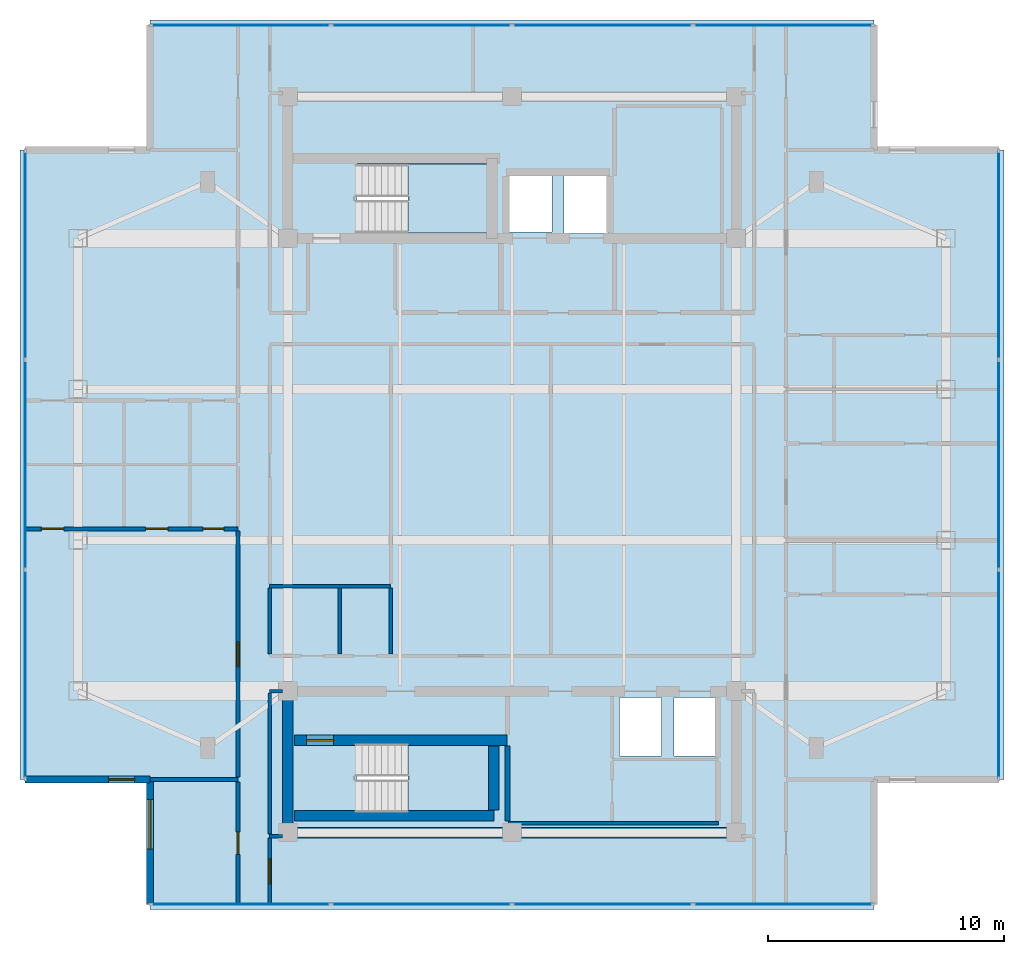
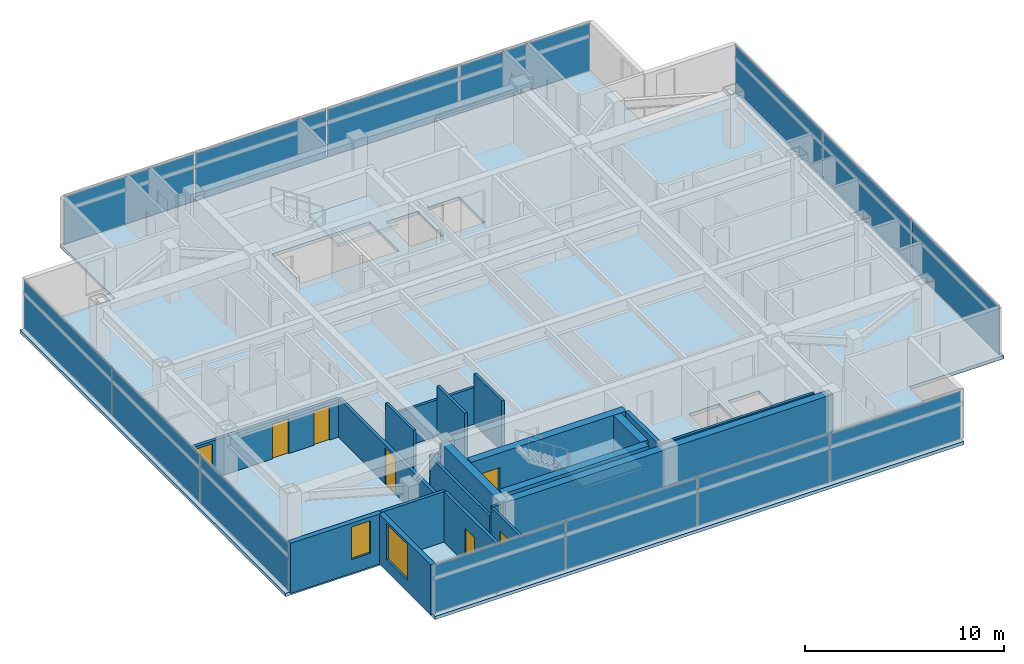
# One storey, part 6 of 12: 21 walls, 14 plates, 7 doors, 3 slabs, 2 windows, 9 openings, 6 elements without a shape of their own.
"""IFC4 building model written with IfcOpenShell, lengths in metres."""

from ifc_helpers import new_model, si_unit, direction, frame, frame_2d, origin, origin_2d, place, context, subcontext, project, spatial, polyline, rectangle, outline, extrude, material, layer, layer_set, type_object, element, fill, aggregate, save


model = new_model("IFC4")

# Units and contexts
model_context = context("Model", 3, precision=1e-05, world=origin(), true_north=direction((0.0, 1.0)))
body_context = subcontext(model_context, "Body", "Model", "MODEL_VIEW")
ifc_project = project(units=[si_unit("LENGTHUNIT", "METRE"), si_unit("AREAUNIT", "SQUARE_METRE"), si_unit("VOLUMEUNIT", "CUBIC_METRE"), si_unit("PLANEANGLEUNIT", "RADIAN"), si_unit("MASSUNIT", "GRAM", prefix="KILO")], contexts=[model_context])

# Site, building, storey
site_placement = place(None, origin())
site = spatial("IfcSite", under=ifc_project, at=site_placement, CompositionType="ELEMENT")
building_placement = place(site_placement, origin())
building = spatial("IfcBuilding", under=site, at=building_placement, Name="Mirazonda Arch Towers", CompositionType="ELEMENT")
storey_placement = place(building_placement, frame((0.0, 0.0, 226.0)))
storey = spatial("IfcBuildingStorey", under=building, at=storey_placement, Name="L64", CompositionType="ELEMENT", Elevation=226.0)

# Curtain wall, plates
ifc_material_1 = material(Name="Anodised Aluminium and Low-E Glass", Category="aluminium")
curtain_wall_type = type_object("IfcCurtainWallType", Name="CW-RES-UNIT", PredefinedType="NOTDEFINED", material=ifc_material_1)
curtain_wall_1_placement = place(storey_placement, origin())
curtain_wall_1 = element("IfcCurtainWall", 1, at=curtain_wall_1_placement, inside=storey, type_object=curtain_wall_type, Name="L64 T1 S Facade CW-L64-T1-S", PredefinedType="NOTDEFINED")
ifc_material_2 = material(Name="Insulated Low-E Solar Glass", Category="glass")
ifc_layer_1 = layer(ifc_material_2, 0.0400390625, Name="PAN-CW-RES-UNIT")
ifc_layer_set_1 = layer_set([ifc_layer_1], Name="Insulated Low-E Solar Glass")
plate_type = type_object("IfcPlateType", Name="PAN-CW-RES-UNIT", PredefinedType="CURTAIN_PANEL", material=ifc_layer_set_1)
plate_1_placement = place(storey_placement, frame((31.99365234375, 9.364013671875, 0.0751953125), z_axis=(0.0, 0.0, 1.0), x_axis=(-1.0, 0.0, 0.0)))
plate_1 = element("IfcPlate", 2, at=plate_1_placement, type_object=plate_type, Name="CW-104 panel 1.1", PredefinedType="CURTAIN_PANEL", context=body_context, shape_type="SweptSolid", body=[
    extrude(rectangle(XDim=7.5625, YDim=0.0400390625, at=origin_2d()), origin(), (0.0, 0.0, 1.0), 2.929931640625),
])
plate_2_placement = place(storey_placement, frame((24.33740234375, 9.364013671875, 0.0751953125), z_axis=(0.0, 0.0, 1.0), x_axis=(-1.0, 0.0, 0.0)))
plate_2 = element("IfcPlate", 3, at=plate_2_placement, type_object=plate_type, Name="CW-104 panel 2.1", PredefinedType="CURTAIN_PANEL", context=body_context, shape_type="SweptSolid", body=[
    extrude(rectangle(XDim=7.60009765625, YDim=0.0400390625, at=origin_2d()), origin(), (0.0, 0.0, 1.0), 2.929931640625),
])
plate_3_placement = place(storey_placement, frame((16.66259765625, 9.364013671875, 0.0751953125), z_axis=(0.0, 0.0, 1.0), x_axis=(-1.0, 0.0, 0.0)))
plate_3 = element("IfcPlate", 4, at=plate_3_placement, type_object=plate_type, Name="CW-104 panel 3.1", PredefinedType="CURTAIN_PANEL", context=body_context, shape_type="SweptSolid", body=[
    extrude(rectangle(XDim=7.60009765625, YDim=0.0400390625, at=origin_2d()), origin(), (0.0, 0.0, 1.0), 2.929931640625),
])
plate_4_placement = place(storey_placement, frame((9.00634765625, 9.364013671875, 0.0751953125), z_axis=(0.0, 0.0, 1.0), x_axis=(-1.0, 0.0, 0.0)))
plate_4 = element("IfcPlate", 5, at=plate_4_placement, type_object=plate_type, Name="CW-104 panel 4.1", PredefinedType="CURTAIN_PANEL", context=body_context, shape_type="SweptSolid", body=[
    extrude(rectangle(XDim=7.5625, YDim=0.0400390625, at=origin_2d()), origin(), (0.0, 0.0, 1.0), 2.929931640625),
])
aggregate(curtain_wall_1, [plate_1, plate_2, plate_3, plate_4])

curtain_wall_2_placement = place(storey_placement, origin())
curtain_wall_2 = element("IfcCurtainWall", 6, at=curtain_wall_2_placement, inside=storey, type_object=curtain_wall_type, Name="L64 T1 E Facade CW-L64-T1-E", PredefinedType="NOTDEFINED")
plate_5_placement = place(storey_placement, frame((41.139892578125, 19.121337890625, 0.0751953125), z_axis=(0.0, 0.0, 1.0), x_axis=(0.0, 1.0, 0.0)))
plate_5 = element("IfcPlate", 7, at=plate_5_placement, type_object=plate_type, Name="CW-104 panel 1.1", PredefinedType="CURTAIN_PANEL", context=body_context, shape_type="SweptSolid", body=[
    extrude(rectangle(XDim=8.784912109375, YDim=0.0400390625, at=origin_2d()), origin(), (0.0, 0.0, 1.0), 2.929931640625),
])
plate_6_placement = place(storey_placement, frame((41.139892578125, 28.0, 0.0751953125), z_axis=(0.0, 0.0, 1.0), x_axis=(0.0, 1.0, 0.0)))
plate_6 = element("IfcPlate", 8, at=plate_6_placement, type_object=plate_type, Name="CW-104 panel 2.1", PredefinedType="CURTAIN_PANEL", context=body_context, shape_type="SweptSolid", body=[
    extrude(rectangle(XDim=8.822265625, YDim=0.0400390625, at=origin_2d()), origin(), (0.0, 0.0, 1.0), 2.929931640625),
])
plate_7_placement = place(storey_placement, frame((41.139892578125, 36.878662109375, 0.0751953125), z_axis=(0.0, 0.0, 1.0), x_axis=(0.0, 1.0, 0.0)))
plate_7 = element("IfcPlate", 9, at=plate_7_placement, type_object=plate_type, Name="CW-104 panel 3.1", PredefinedType="CURTAIN_PANEL", context=body_context, shape_type="SweptSolid", body=[
    extrude(rectangle(XDim=8.784912109375, YDim=0.0400390625, at=origin_2d()), origin(), (0.0, 0.0, 1.0), 2.929931640625),
])
aggregate(curtain_wall_2, [plate_5, plate_6, plate_7])

curtain_wall_3_placement = place(storey_placement, origin())
curtain_wall_3 = element("IfcCurtainWall", 10, at=curtain_wall_3_placement, inside=storey, type_object=curtain_wall_type, Name="L64 T1 N Facade CW-L64-T1-N", PredefinedType="NOTDEFINED")
plate_8_placement = place(storey_placement, frame((9.00634765625, 46.635986328125, 0.0751953125), z_axis=(0.0, 0.0, 1.0), x_axis=(1.0, 0.0, 0.0)))
plate_8 = element("IfcPlate", 11, at=plate_8_placement, type_object=plate_type, Name="CW-104 panel 1.1", PredefinedType="CURTAIN_PANEL", context=body_context, shape_type="SweptSolid", body=[
    extrude(rectangle(XDim=7.5625, YDim=0.0400390625, at=origin_2d()), origin(), (0.0, 0.0, 1.0), 2.929931640625),
])
plate_9_placement = place(storey_placement, frame((16.66259765625, 46.635986328125, 0.0751953125), z_axis=(0.0, 0.0, 1.0), x_axis=(1.0, 0.0, 0.0)))
plate_9 = element("IfcPlate", 12, at=plate_9_placement, type_object=plate_type, Name="CW-104 panel 2.1", PredefinedType="CURTAIN_PANEL", context=body_context, shape_type="SweptSolid", body=[
    extrude(rectangle(XDim=7.60009765625, YDim=0.0400390625, at=origin_2d()), origin(), (0.0, 0.0, 1.0), 2.929931640625),
])
plate_10_placement = place(storey_placement, frame((24.33740234375, 46.635986328125, 0.0751953125), z_axis=(0.0, 0.0, 1.0), x_axis=(1.0, 0.0, 0.0)))
plate_10 = element("IfcPlate", 13, at=plate_10_placement, type_object=plate_type, Name="CW-104 panel 3.1", PredefinedType="CURTAIN_PANEL", context=body_context, shape_type="SweptSolid", body=[
    extrude(rectangle(XDim=7.60009765625, YDim=0.0400390625, at=origin_2d()), origin(), (0.0, 0.0, 1.0), 2.929931640625),
])
plate_11_placement = place(storey_placement, frame((31.99365234375, 46.635986328125, 0.0751953125), z_axis=(0.0, 0.0, 1.0), x_axis=(1.0, 0.0, 0.0)))
plate_11 = element("IfcPlate", 14, at=plate_11_placement, type_object=plate_type, Name="CW-104 panel 4.1", PredefinedType="CURTAIN_PANEL", context=body_context, shape_type="SweptSolid", body=[
    extrude(rectangle(XDim=7.5625, YDim=0.0400390625, at=origin_2d()), origin(), (0.0, 0.0, 1.0), 2.929931640625),
])
aggregate(curtain_wall_3, [plate_8, plate_9, plate_10, plate_11])

curtain_wall_4_placement = place(storey_placement, origin())
curtain_wall_4 = element("IfcCurtainWall", 15, at=curtain_wall_4_placement, inside=storey, type_object=curtain_wall_type, Name="L64 T1 W Facade CW-L64-T1-W", PredefinedType="NOTDEFINED")
plate_12_placement = place(storey_placement, frame((-0.139892578125, 36.878662109375, 0.0751953125), z_axis=(0.0, 0.0, 1.0), x_axis=(0.0, -1.0, 0.0)))
plate_12 = element("IfcPlate", 16, at=plate_12_placement, type_object=plate_type, Name="CW-104 panel 1.1", PredefinedType="CURTAIN_PANEL", context=body_context, shape_type="SweptSolid", body=[
    extrude(rectangle(XDim=8.784912109375, YDim=0.0400390625, at=origin_2d()), origin(), (0.0, 0.0, 1.0), 2.929931640625),
])
plate_13_placement = place(storey_placement, frame((-0.139892578125, 28.0, 0.0751953125), z_axis=(0.0, 0.0, 1.0), x_axis=(0.0, -1.0, 0.0)))
plate_13 = element("IfcPlate", 17, at=plate_13_placement, type_object=plate_type, Name="CW-104 panel 2.1", PredefinedType="CURTAIN_PANEL", context=body_context, shape_type="SweptSolid", body=[
    extrude(rectangle(XDim=8.822265625, YDim=0.0400390625, at=origin_2d()), origin(), (0.0, 0.0, 1.0), 2.929931640625),
])
plate_14_placement = place(storey_placement, frame((-0.139892578125, 19.121337890625, 0.0751953125), z_axis=(0.0, 0.0, 1.0), x_axis=(0.0, -1.0, 0.0)))
plate_14 = element("IfcPlate", 18, at=plate_14_placement, type_object=plate_type, Name="CW-104 panel 3.1", PredefinedType="CURTAIN_PANEL", context=body_context, shape_type="SweptSolid", body=[
    extrude(rectangle(XDim=8.784912109375, YDim=0.0400390625, at=origin_2d()), origin(), (0.0, 0.0, 1.0), 2.929931640625),
])
aggregate(curtain_wall_4, [plate_12, plate_13, plate_14])

# Stair, slab
ifc_material_3 = material(Name="Concrete C40/50", Category="concrete")
stair_type = type_object("IfcStairType", Name="STAIR-CORE-1400", PredefinedType="HALF_TURN_STAIR", material=ifc_material_3)
stair_1_placement = place(storey_placement, origin())
stair_1 = element("IfcStair", 19, at=stair_1_placement, inside=storey, type_object=stair_type, Name="L64 Protected Exit Stair ST-T1N", PredefinedType="HALF_TURN_STAIR")
ifc_layer_2 = layer(ifc_material_3, 0.18994140625, Name="SLAB-LANDING-190")
ifc_layer_set_2 = layer_set([ifc_layer_2], Name="Concrete C40/50")
slab_type_1 = type_object("IfcSlabType", Name="SLAB-LANDING-190", PredefinedType="LANDING", material=ifc_layer_set_2)
slab_1_placement = place(storey_placement, frame((0.0, 0.0, 1.449951171875)))
slab_1 = element("IfcSlab", 20, at=slab_1_placement, type_object=slab_type_1, Name="ST-T1N landing 1", PredefinedType="LANDING", context=body_context, shape_type="SweptSolid", body=[
    extrude(outline(polyline([(16.090087890625, 37.820068359375), (19.60009765625, 37.820068359375), (19.60009765625, 40.760009765625), (16.090087890625, 40.760009765625), (16.090087890625, 37.820068359375)])), origin(), (0.0, 0.0, 1.0), 0.199951171875),
])
aggregate(stair_1, [slab_1])

stair_2_placement = place(storey_placement, origin())
stair_2 = element("IfcStair", 21, at=stair_2_placement, inside=storey, type_object=stair_type, Name="L64 Protected Exit Stair ST-T1S", PredefinedType="HALF_TURN_STAIR")
slab_2_placement = place(storey_placement, frame((0.0, 0.0, 1.449951171875)))
slab_2 = element("IfcSlab", 22, at=slab_2_placement, type_object=slab_type_1, Name="ST-T1S landing 1", PredefinedType="LANDING", context=body_context, shape_type="SweptSolid", body=[
    extrude(outline(polyline([(16.090087890625, 13.25), (19.60009765625, 13.25), (19.60009765625, 16.18994140625), (16.090087890625, 16.18994140625), (16.090087890625, 13.25)])), origin(), (0.0, 0.0, 1.0), 0.199951171875),
])
aggregate(stair_2, [slab_2])

# Slab
ifc_layer_3 = layer(ifc_material_3, 0.199951171875, Name="SLAB-TWR-200")
ifc_layer_set_3 = layer_set([ifc_layer_3], Name="Concrete C40/50")
slab_type_2 = type_object("IfcSlabType", Name="SLAB-TWR-200", PredefinedType="FLOOR", material=ifc_layer_set_3)
slab_3_placement = place(storey_placement, frame((0.0, 0.0, -0.199951171875)))
element("IfcSlab", 23, at=slab_3_placement, inside=storey, type_object=slab_type_2, Name="L64 Tower 1 Floor Slab", PredefinedType="FLOOR", context=body_context, shape_type="SweptSolid", body=[
    extrude(outline(polyline([(5.14990234375, 9.14404296875), (35.85009765625, 9.14404296875), (35.85009765625, 14.654052734375), (41.360107421875, 14.654052734375), (41.360107421875, 41.345947265625), (35.85009765625, 41.345947265625), (35.85009765625, 46.85595703125), (5.14990234375, 46.85595703125), (5.14990234375, 41.345947265625), (-0.360107421875, 41.345947265625), (-0.360107421875, 14.654052734375), (5.14990234375, 14.654052734375), (5.14990234375, 9.14404296875)]), holes=[polyline([(27.360107421875, 18.139892578125), (29.139892578125, 18.139892578125), (29.139892578125, 15.659912109375), (27.360107421875, 15.659912109375), (27.360107421875, 18.139892578125)]), polyline([(25.06005859375, 18.139892578125), (26.840087890625, 18.139892578125), (26.840087890625, 15.659912109375), (25.06005859375, 15.659912109375), (25.06005859375, 18.139892578125)]), polyline([(22.7099609375, 40.389892578125), (24.590087890625, 40.389892578125), (24.590087890625, 37.81005859375), (22.7099609375, 37.81005859375), (22.7099609375, 40.389892578125)]), polyline([(20.31005859375, 37.860107421875), (20.31005859375, 40.340087890625), (22.18994140625, 40.340087890625), (22.18994140625, 37.860107421875), (20.31005859375, 37.860107421875)]), polyline([(19.60009765625, 13.25), (13.925048828125, 13.25), (13.925048828125, 16.18994140625), (19.60009765625, 16.18994140625), (19.60009765625, 13.25)]), polyline([(13.925048828125, 37.820068359375), (13.925048828125, 40.760009765625), (19.60009765625, 40.760009765625), (19.60009765625, 37.820068359375), (13.925048828125, 37.820068359375)])]), origin(), (0.0, 0.0, 1.0), 0.199951171875),
])

# Walls
ifc_material_4 = material(Name="Concrete C50/60", Category="concrete")
ifc_layer_4 = layer(ifc_material_4, 0.449951171875, Name="WALL-CORE-450")
ifc_layer_set_4 = layer_set([ifc_layer_4], Name="Concrete C50/60")
wall_type_1 = type_object("IfcWallType", Name="WALL-CORE-450", PredefinedType="SHEAR", material=ifc_layer_set_4)
wall_1_placement = place(storey_placement, frame((11.0, 12.39990234375, 0.0), z_axis=(0.0, 0.0, 1.0), x_axis=(1.0, 0.0, 0.0)))
element("IfcWall", 24, at=wall_1_placement, inside=storey, type_object=wall_type_1, Name="L64 T1S-S Core Shear Wall", PredefinedType="SHEAR", context=body_context, shape_type="SweptSolid", body=[
    extrude(rectangle(XDim=19.0, YDim=0.449951171875, at=frame_2d((9.5, 0.0))), origin(), (0.0, 0.0, 1.0), 3.10009765625),
])
wall_2_placement = place(storey_placement, frame((11.0, 12.39990234375, 0.0), z_axis=(0.0, 0.0, 1.0), x_axis=(0.0, 1.0, 0.0)))
element("IfcWall", 25, at=wall_2_placement, inside=storey, type_object=wall_type_1, Name="L64 T1S-W Core Shear Wall", PredefinedType="SHEAR", context=body_context, shape_type="SweptSolid", body=[
    extrude(rectangle(XDim=6.0, YDim=0.449951171875, at=frame_2d((3.0, 0.0))), origin(), (0.0, 0.0, 1.0), 3.10009765625),
])
wall_3_placement = place(storey_placement, frame((11.27001953125, 13.1201171875, 0.0), z_axis=(0.0, 0.0, 1.0), x_axis=(1.0, 0.0, 0.0)))
element("IfcWall", 26, at=wall_3_placement, inside=storey, type_object=wall_type_1, Name="L64 Stair Core Shear Wall 004", PredefinedType="SHEAR", context=body_context, shape_type="SweptSolid", body=[
    extrude(rectangle(XDim=8.4599609375, YDim=0.449951171875, at=frame_2d((4.22998046875, 0.0))), origin(), (0.0, 0.0, 1.0), 3.10009765625),
])

# Wall, opening, door
wall_4_placement = place(storey_placement, frame((11.27001953125, 16.320068359375, 0.0), z_axis=(0.0, 0.0, 1.0), x_axis=(1.0, 0.0, 0.0)))
wall_4 = element("IfcWall", 27, at=wall_4_placement, inside=storey, type_object=wall_type_1, Name="L64 Stair Core Shear Wall 008", PredefinedType="SHEAR", context=body_context, shape_type="SweptSolid", body=[
    extrude(rectangle(XDim=9.010009765625, YDim=0.449951171875, at=frame_2d((4.5048828125, 0.0))), origin(), (0.0, 0.0, 1.0), 3.10009765625),
])
opening_1_placement = place(wall_4_placement, frame((0.52001953125, 0.0, 0.0)))
opening_1 = element("IfcOpeningElement", 28, at=opening_1_placement, cuts=wall_4, Name="Opening DR-135", PredefinedType="OPENING", context=body_context, shape_type="SweptSolid", body=[
    extrude(rectangle(XDim=1.14990234375, YDim=2.199951171875, at=frame_2d((0.574951171875, 1.10009765625))), frame((0.0, 0.23486328125, 0.0), z_axis=(0.0, -1.0, 0.0), x_axis=(1.0, 0.0, 0.0)), (0.0, 0.0, 1.0), 0.469970703125),
])
ifc_material_5 = material(Name="Architectural Brushed Steel S355", Category="steel")
door_type_1 = type_object("IfcDoorType", Name="DOOR-STAIR-FD90-1150", OperationType="NOTDEFINED", PredefinedType="DOOR", material=ifc_material_5)
door_1_placement = place(opening_1_placement, origin())
door_1 = element("IfcDoor", 29, at=door_1_placement, inside=storey, type_object=door_type_1, Name="L64 Protected Exit Stair South Door", OperationType="SINGLE_SWING_LEFT", OverallHeight=2.199951171875, OverallWidth=1.14990234375, PredefinedType="DOOR", context=body_context, shape_type="SweptSolid", body=[
    extrude(rectangle(XDim=1.14990234375, YDim=2.199951171875, at=frame_2d((0.574951171875, 1.10009765625))), frame((0.0, 0.02490234375, 0.0), z_axis=(0.0, -1.0, 0.0), x_axis=(1.0, 0.0, 0.0)), (0.0, 0.0, 1.0), 0.050048828125),
])
fill(opening_1, door_1)

# Wall
wall_5_placement = place(storey_placement, frame((19.72998046875, 13.35498046875, 0.0), z_axis=(0.0, 0.0, 1.0), x_axis=(0.0, 1.0, 0.0)))
element("IfcWall", 30, at=wall_5_placement, inside=storey, type_object=wall_type_1, Name="L64 Stair Core Shear Wall 052", PredefinedType="SHEAR", context=body_context, shape_type="SweptSolid", body=[
    extrude(rectangle(XDim=2.72998046875, YDim=0.449951171875, at=frame_2d((1.364990234375, 0.0))), origin(), (0.0, 0.0, 1.0), 3.10009765625),
])

# Wall, opening, window
ifc_material_6 = material(Name="Precast Concrete C40/50", Category="concrete")
ifc_layer_5 = layer(ifc_material_6, 0.280029296875, Name="WALL-EXT-WALL-280")
ifc_layer_set_5 = layer_set([ifc_layer_5], Name="Precast Concrete C40/50")
wall_type_2 = type_object("IfcWallType", Name="WALL-EXT-WALL-280", PredefinedType="SOLIDWALL", material=ifc_layer_set_5)
wall_6_placement = place(storey_placement, frame((5.14990234375, 14.654052734375, 0.0), z_axis=(0.0, 0.0, 1.0), x_axis=(0.0, -1.0, 0.0)))
wall_6 = element("IfcWall", 31, at=wall_6_placement, inside=storey, type_object=wall_type_2, Name="L64 T1 Notched SW Corner Wall WL-L64-T1-CSW", PredefinedType="SOLIDWALL", context=body_context, shape_type="SweptSolid", body=[
    extrude(rectangle(XDim=5.2900390625, YDim=0.280029296875, at=frame_2d((2.64501953125, 0.0))), origin(), (0.0, 0.0, 1.0), 3.080078125),
])
opening_2_placement = place(wall_6_placement, frame((0.85009765625, 0.0, 0.72998046875)))
opening_2 = element("IfcOpeningElement", 32, at=opening_2_placement, cuts=wall_6, Name="Opening WN-117", PredefinedType="OPENING", context=body_context, shape_type="SweptSolid", body=[
    extrude(rectangle(XDim=2.10009765625, YDim=2.199951171875, at=frame_2d((1.050048828125, 1.10009765625))), frame((0.0, 0.14990234375, 0.0), z_axis=(0.0, -1.0, 0.0), x_axis=(1.0, 0.0, 0.0)), (0.0, 0.0, 1.0), 0.300048828125),
])
window_type_1 = type_object("IfcWindowType", Name="WIN-RES-2100x2200", PartitioningType="SINGLE_PANEL", PredefinedType="WINDOW", material=ifc_material_2)
window_1_placement = place(opening_2_placement, origin())
window_1 = element("IfcWindow", 33, at=window_1_placement, inside=storey, type_object=window_type_1, Name="L64 Punched Facade Window WN-L64-T1-CSW", OverallHeight=2.199951171875, OverallWidth=2.10009765625, PartitioningType="SINGLE_PANEL", PredefinedType="WINDOW", context=body_context, shape_type="SweptSolid", body=[
    extrude(rectangle(XDim=2.10009765625, YDim=2.199951171875, at=frame_2d((1.050048828125, 1.10009765625))), frame((0.0, 0.030029296875, 0.0), z_axis=(0.0, -1.0, 0.0), x_axis=(1.0, 0.0, 0.0)), (0.0, 0.0, 1.0), 0.06005859375),
])
fill(opening_2, window_1)

wall_7_placement = place(storey_placement, frame((-0.139892578125, 14.654052734375, 0.0), z_axis=(0.0, 0.0, 1.0), x_axis=(1.0, 0.0, 0.0)))
wall_7 = element("IfcWall", 34, at=wall_7_placement, inside=storey, type_object=wall_type_2, Name="L64 T1 Corner Notch Return Wall WL-L64-T1-CSW2", PredefinedType="SOLIDWALL", context=body_context, shape_type="SweptSolid", body=[
    extrude(rectangle(XDim=5.289794921875, YDim=0.280029296875, at=frame_2d((2.64501953125, 0.0))), origin(), (0.0, 0.0, 1.0), 3.080078125),
])
opening_3_placement = place(wall_7_placement, frame((3.5400390625, 0.0, 0.85009765625)))
opening_3 = element("IfcOpeningElement", 35, at=opening_3_placement, cuts=wall_7, Name="Opening WN-108", PredefinedType="OPENING", context=body_context, shape_type="SweptSolid", body=[
    extrude(rectangle(XDim=1.10009765625, YDim=2.0, at=frame_2d((0.550048828125, 1.0))), frame((0.0, 0.14990234375, 0.0), z_axis=(0.0, -1.0, 0.0), x_axis=(1.0, 0.0, 0.0)), (0.0, 0.0, 1.0), 0.300048828125),
])
window_type_2 = type_object("IfcWindowType", Name="WIN-NOTCH-1100x2000", PartitioningType="SINGLE_PANEL", PredefinedType="WINDOW", material=ifc_material_2)
window_2_placement = place(opening_3_placement, origin())
window_2 = element("IfcWindow", 36, at=window_2_placement, inside=storey, type_object=window_type_2, Name="L64 Punched Facade Window WN-L64-T1-CSW2", OverallHeight=2.0, OverallWidth=1.10009765625, PartitioningType="SINGLE_PANEL", PredefinedType="WINDOW", context=body_context, shape_type="SweptSolid", body=[
    extrude(rectangle(XDim=1.10009765625, YDim=2.0, at=frame_2d((0.550048828125, 1.0))), frame((0.0, 0.030029296875, 0.0), z_axis=(0.0, -1.0, 0.0), x_axis=(1.0, 0.0, 0.0)), (0.0, 0.0, 1.0), 0.06005859375),
])
fill(opening_3, window_2)

# Walls
ifc_layer_6 = layer(ifc_material_3, 0.219970703125, Name="WALL-FFL-220")
ifc_layer_set_6 = layer_set([ifc_layer_6], Name="Concrete C40/50")
wall_type_3 = type_object("IfcWallType", Name="WALL-FFL-220", PredefinedType="SOLIDWALL", material=ifc_layer_set_6)
wall_8_placement = place(storey_placement, frame((20.31494140625, 12.885009765625, 0.0), z_axis=(0.0, 0.0, 1.0), x_axis=(0.0, 1.0, 0.0)))
element("IfcWall", 37, at=wall_8_placement, inside=storey, type_object=wall_type_3, Name="L64 Interior Partition 054", PredefinedType="SOLIDWALL", context=body_context, shape_type="SweptSolid", body=[
    extrude(rectangle(XDim=3.199951171875, YDim=0.219970703125, at=frame_2d((1.60009765625, 0.0))), origin(), (0.0, 0.0, 1.0), 3.10009765625),
])
ifc_material_7 = material(Name="Fire-Rated Gypsum Stud Partition")
ifc_layer_7 = layer(ifc_material_7, 0.14990234375, Name="WALL-PART-CORR-150")
ifc_layer_set_7 = layer_set([ifc_layer_7], Name="Fire-Rated Gypsum Stud Partition")
wall_type_4 = type_object("IfcWallType", Name="WALL-PART-CORR-150", PredefinedType="PARTITIONING", material=ifc_layer_set_7)
wall_9_placement = place(storey_placement, frame((10.219970703125, 12.25, 0.0), z_axis=(0.0, 0.0, 1.0), x_axis=(1.0, 0.0, 0.0)))
element("IfcWall", 38, at=wall_9_placement, inside=storey, type_object=wall_type_4, Name="L64 Interior Partition 001", PredefinedType="PARTITIONING", context=body_context, shape_type="SweptSolid", body=[
    extrude(rectangle(XDim=0.56005859375, YDim=0.14990234375, at=frame_2d((0.280029296875, 0.0))), origin(), (0.0, 0.0, 1.0), 3.10009765625),
])
wall_10_placement = place(storey_placement, frame((20.35009765625, 12.800048828125, 0.0), z_axis=(0.0, 0.0, 1.0), x_axis=(1.0, 0.0, 0.0)))
element("IfcWall", 39, at=wall_10_placement, inside=storey, type_object=wall_type_4, Name="L64 Interior Partition 003", PredefinedType="PARTITIONING", context=body_context, shape_type="SweptSolid", body=[
    extrude(rectangle(XDim=8.89990234375, YDim=0.14990234375, at=frame_2d((4.449951171875, 0.0))), origin(), (0.0, 0.0, 1.0), 3.10009765625),
])
wall_11_placement = place(storey_placement, frame((10.219970703125, 18.39990234375, 0.0), z_axis=(0.0, 0.0, 1.0), x_axis=(1.0, 0.0, 0.0)))
element("IfcWall", 40, at=wall_11_placement, inside=storey, type_object=wall_type_4, Name="L64 Interior Partition 009", PredefinedType="PARTITIONING", context=body_context, shape_type="SweptSolid", body=[
    extrude(rectangle(XDim=0.56005859375, YDim=0.14990234375, at=frame_2d((0.280029296875, 0.0))), origin(), (0.0, 0.0, 1.0), 2.491943359375),
])
wall_12_placement = place(storey_placement, frame((10.219970703125, 22.85009765625, 0.0), z_axis=(0.0, 0.0, 1.0), x_axis=(1.0, 0.0, 0.0)))
element("IfcWall", 41, at=wall_12_placement, inside=storey, type_object=wall_type_4, Name="L64 Interior Partition 013", PredefinedType="PARTITIONING", context=body_context, shape_type="SweptSolid", body=[
    extrude(rectangle(XDim=5.130126953125, YDim=0.14990234375, at=frame_2d((2.56494140625, 0.0))), origin(), (0.0, 0.0, 1.0), 2.236083984375),
])

# Wall, opening, door
wall_13_placement = place(storey_placement, frame((10.219970703125, 9.364013671875, 0.0), z_axis=(0.0, 0.0, 1.0), x_axis=(0.0, 1.0, 0.0)))
wall_13 = element("IfcWall", 42, at=wall_13_placement, inside=storey, type_object=wall_type_4, Name="L64 Interior Partition 040", PredefinedType="PARTITIONING", context=body_context, shape_type="SweptSolid", body=[
    extrude(rectangle(XDim=2.801025390625, YDim=0.14990234375, at=frame_2d((1.400390625, 0.0))), origin(), (0.0, 0.0, 1.0), 3.10009765625),
])
opening_4_placement = place(wall_13_placement, frame((0.87548828125, 0.0, 0.0)))
opening_4 = element("IfcOpeningElement", 43, at=opening_4_placement, cuts=wall_13, Name="Opening DR-121", PredefinedType="OPENING", context=body_context, shape_type="SweptSolid", body=[
    extrude(rectangle(XDim=1.050048828125, YDim=2.199951171875, at=frame_2d((0.52490234375, 1.10009765625))), frame((0.0, 0.0849609375, 0.0), z_axis=(0.0, -1.0, 0.0), x_axis=(1.0, 0.0, 0.0)), (0.0, 0.0, 1.0), 0.169921875),
])
door_type_2 = type_object("IfcDoorType", Name="DOOR-SUITE-FD60-1050", OperationType="NOTDEFINED", PredefinedType="DOOR", material=ifc_material_5)
door_2_placement = place(opening_4_placement, origin())
door_2 = element("IfcDoor", 44, at=door_2_placement, inside=storey, type_object=door_type_2, Name="L64 South Panoramic Study Gallery Door", OperationType="SINGLE_SWING_RIGHT", OverallHeight=2.199951171875, OverallWidth=1.050048828125, PredefinedType="DOOR", context=body_context, shape_type="SweptSolid", body=[
    extrude(rectangle(XDim=1.050048828125, YDim=2.199951171875, at=frame_2d((0.52490234375, 1.10009765625))), frame((0.0, 0.02490234375, 0.0), z_axis=(0.0, -1.0, 0.0), x_axis=(1.0, 0.0, 0.0)), (0.0, 0.0, 1.0), 0.050048828125),
])
fill(opening_4, door_2)

# Walls
wall_14_placement = place(storey_placement, frame((10.219970703125, 12.3349609375, 0.0), z_axis=(0.0, 0.0, 1.0), x_axis=(0.0, 1.0, 0.0)))
element("IfcWall", 45, at=wall_14_placement, inside=storey, type_object=wall_type_4, Name="L64 Interior Partition 041", PredefinedType="PARTITIONING", context=body_context, shape_type="SweptSolid", body=[
    extrude(rectangle(XDim=5.97998046875, YDim=0.14990234375, at=frame_2d((2.989990234375, 0.0))), origin(), (0.0, 0.0, 1.0), 2.491943359375),
])
for number, where, z_axis, x_axis, name in (
    (46, (10.219970703125, 19.985107421875, 0.0), (0.0, 0.0, 1.0), (0.0, 1.0, 0.0), "L64 Interior Partition 042"),
    (47, (13.199951171875, 19.985107421875, 0.0), (0.0, 0.0, 1.0), (0.0, 1.0, 0.0), "L64 Interior Partition 047"),
    (48, (15.35009765625, 19.985107421875, 0.0), (0.0, 0.0, 1.0), (0.0, 1.0, 0.0), "L64 Interior Partition 048"),
):
    element("IfcWall", number, at=place(storey_placement, frame(where, z_axis=z_axis, x_axis=x_axis)), inside=storey, type_object=wall_type_4, Name=name, PredefinedType="PARTITIONING", context=body_context, shape_type="SweptSolid", body=[
        extrude(rectangle(XDim=2.77978515625, YDim=0.14990234375, at=frame_2d((1.389892578125, 0.0))), origin(), (0.0, 0.0, 1.0), 3.10009765625),
    ])
ifc_material_8 = material(Name="Fire-Rated Gypsum Twin-Stud Assembly")
ifc_layer_8 = layer(ifc_material_8, 0.179931640625, Name="WALL-PART-DEMISE-180")
ifc_layer_set_8 = layer_set([ifc_layer_8], Name="Fire-Rated Gypsum Twin-Stud Assembly")
wall_type_5 = type_object("IfcWallType", Name="WALL-PART-DEMISE-180", PredefinedType="PARTITIONING", material=ifc_layer_set_8)
wall_15_placement = place(storey_placement, frame((5.169921875, 14.654052734375, 0.0), z_axis=(0.0, 0.0, 1.0), x_axis=(1.0, 0.0, 0.0)))
element("IfcWall", 49, at=wall_15_placement, inside=storey, type_object=wall_type_5, Name="L64 Interior Partition 005", PredefinedType="PARTITIONING", context=body_context, shape_type="SweptSolid", body=[
    extrude(rectangle(XDim=3.7099609375, YDim=0.179931640625, at=frame_2d((1.85498046875, 0.0))), origin(), (0.0, 0.0, 1.0), 3.10009765625),
])

# Wall, openings, doors
wall_16_placement = place(storey_placement, frame((-0.139892578125, 25.280029296875, 0.0), z_axis=(0.0, 0.0, 1.0), x_axis=(1.0, 0.0, 0.0)))
wall_16 = element("IfcWall", 50, at=wall_16_placement, inside=storey, type_object=wall_type_5, Name="L64 Interior Partition 015", PredefinedType="PARTITIONING", context=body_context, shape_type="SweptSolid", body=[
    extrude(rectangle(XDim=9.019775390625, YDim=0.179931640625, at=frame_2d((4.509765625, 0.0))), origin(), (0.0, 0.0, 1.0), 2.319091796875),
])
opening_5_placement = place(wall_16_placement, frame((0.68896484375, 0.0, 0.0)))
opening_5 = element("IfcOpeningElement", 51, at=opening_5_placement, cuts=wall_16, Name="Opening DR-104", PredefinedType="OPENING", context=body_context, shape_type="SweptSolid", body=[
    extrude(rectangle(XDim=0.949951171875, YDim=2.14990234375, at=frame_2d((0.47509765625, 1.074951171875))), frame((0.0, 0.099853515625, 0.0), z_axis=(0.0, -1.0, 0.0), x_axis=(1.0, 0.0, 0.0)), (0.0, 0.0, 1.0), 0.199951171875),
])
opening_6_placement = place(wall_16_placement, frame((5.10888671875, 0.0, 0.0)))
opening_6 = element("IfcOpeningElement", 52, at=opening_6_placement, cuts=wall_16, Name="Opening DR-104", PredefinedType="OPENING", context=body_context, shape_type="SweptSolid", body=[
    extrude(rectangle(XDim=0.949951171875, YDim=2.14990234375, at=frame_2d((0.47509765625, 1.074951171875))), frame((0.0, 0.099853515625, 0.0), z_axis=(0.0, -1.0, 0.0), x_axis=(1.0, 0.0, 0.0)), (0.0, 0.0, 1.0), 0.199951171875),
])
opening_7_placement = place(wall_16_placement, frame((7.530029296875, 0.0, 0.0)))
opening_7 = element("IfcOpeningElement", 53, at=opening_7_placement, cuts=wall_16, Name="Opening DR-120", PredefinedType="OPENING", context=body_context, shape_type="SweptSolid", body=[
    extrude(rectangle(XDim=0.89990234375, YDim=2.10009765625, at=frame_2d((0.449951171875, 1.050048828125))), frame((0.0, 0.099853515625, 0.0), z_axis=(0.0, -1.0, 0.0), x_axis=(1.0, 0.0, 0.0)), (0.0, 0.0, 1.0), 0.199951171875),
])
door_type_3 = type_object("IfcDoorType", Name="DOOR-ROOM-950", OperationType="NOTDEFINED", PredefinedType="DOOR", material=ifc_material_5)
door_3_placement = place(opening_5_placement, origin())
door_3 = element("IfcDoor", 54, at=door_3_placement, inside=storey, type_object=door_type_3, Name="L64 Residence 1 Principal Bedroom Door", OperationType="SINGLE_SWING_RIGHT", OverallHeight=2.14990234375, OverallWidth=0.949951171875, PredefinedType="DOOR", context=body_context, shape_type="SweptSolid", body=[
    extrude(rectangle(XDim=0.949951171875, YDim=2.14990234375, at=frame_2d((0.47509765625, 1.074951171875))), frame((0.0, 0.02490234375, 0.0), z_axis=(0.0, -1.0, 0.0), x_axis=(1.0, 0.0, 0.0)), (0.0, 0.0, 1.0), 0.050048828125),
])
fill(opening_5, door_3)
door_4_placement = place(opening_6_placement, origin())
door_4 = element("IfcDoor", 55, at=door_4_placement, inside=storey, type_object=door_type_3, Name="L64 Residence 1 Fitted Kitchen Door", OperationType="SINGLE_SWING_LEFT", OverallHeight=2.14990234375, OverallWidth=0.949951171875, PredefinedType="DOOR", context=body_context, shape_type="SweptSolid", body=[
    extrude(rectangle(XDim=0.949951171875, YDim=2.14990234375, at=frame_2d((0.47509765625, 1.074951171875))), frame((0.0, 0.02490234375, 0.0), z_axis=(0.0, -1.0, 0.0), x_axis=(1.0, 0.0, 0.0)), (0.0, 0.0, 1.0), 0.050048828125),
])
fill(opening_6, door_4)
door_type_4 = type_object("IfcDoorType", Name="DOOR-WC-900", OperationType="NOTDEFINED", PredefinedType="DOOR", material=ifc_material_5)
door_5_placement = place(opening_7_placement, origin())
door_5 = element("IfcDoor", 56, at=door_5_placement, inside=storey, type_object=door_type_4, Name="L64 Residence 1 Bathroom Door", OperationType="SINGLE_SWING_RIGHT", OverallHeight=2.10009765625, OverallWidth=0.89990234375, PredefinedType="DOOR", context=body_context, shape_type="SweptSolid", body=[
    extrude(rectangle(XDim=0.89990234375, YDim=2.10009765625, at=frame_2d((0.449951171875, 1.050048828125))), frame((0.0, 0.02490234375, 0.0), z_axis=(0.0, -1.0, 0.0), x_axis=(1.0, 0.0, 0.0)), (0.0, 0.0, 1.0), 0.050048828125),
])
fill(opening_7, door_5)

# Wall, opening, door
wall_17_placement = place(storey_placement, frame((8.8798828125, 9.364013671875, 0.0), z_axis=(0.0, 0.0, 1.0), x_axis=(0.0, 1.0, 0.0)))
wall_17 = element("IfcWall", 57, at=wall_17_placement, inside=storey, type_object=wall_type_5, Name="L64 Interior Partition 034", PredefinedType="PARTITIONING", context=body_context, shape_type="SweptSolid", body=[
    extrude(rectangle(XDim=5.18994140625, YDim=0.179931640625, at=frame_2d((2.594970703125, 0.0))), origin(), (0.0, 0.0, 1.0), 3.10009765625),
])
opening_8_placement = place(wall_17_placement, frame((2.1201171875, 0.0, 0.0)))
opening_8 = element("IfcOpeningElement", 58, at=opening_8_placement, cuts=wall_17, Name="Opening DR-104", PredefinedType="OPENING", context=body_context, shape_type="SweptSolid", body=[
    extrude(rectangle(XDim=0.949951171875, YDim=2.14990234375, at=frame_2d((0.47509765625, 1.074951171875))), frame((0.0, 0.099853515625, 0.0), z_axis=(0.0, -1.0, 0.0), x_axis=(1.0, 0.0, 0.0)), (0.0, 0.0, 1.0), 0.199951171875),
])
door_6_placement = place(opening_8_placement, origin())
door_6 = element("IfcDoor", 59, at=door_6_placement, inside=storey, type_object=door_type_3, Name="L64 South Panoramic Study Alcove West Door", OperationType="SINGLE_SWING_LEFT", OverallHeight=2.14990234375, OverallWidth=0.949951171875, PredefinedType="DOOR", context=body_context, shape_type="SweptSolid", body=[
    extrude(rectangle(XDim=0.949951171875, YDim=2.14990234375, at=frame_2d((0.47509765625, 1.074951171875))), frame((0.0, 0.02490234375, 0.0), z_axis=(0.0, -1.0, 0.0), x_axis=(1.0, 0.0, 0.0)), (0.0, 0.0, 1.0), 0.050048828125),
])
fill(opening_8, door_6)

wall_18_placement = place(storey_placement, frame((8.8798828125, 14.75390625, 0.0), z_axis=(0.0, 0.0, 1.0), x_axis=(0.0, 1.0, 0.0)))
wall_18 = element("IfcWall", 60, at=wall_18_placement, inside=storey, type_object=wall_type_5, Name="L64 Interior Partition 035", PredefinedType="PARTITIONING", context=body_context, shape_type="SweptSolid", body=[
    extrude(rectangle(XDim=10.426025390625, YDim=0.179931640625, at=frame_2d((5.212890625, 0.0))), origin(), (0.0, 0.0, 1.0), 2.39599609375),
])
opening_9_placement = place(wall_18_placement, frame((4.68798828125, 0.0, 0.0)))
opening_9 = element("IfcOpeningElement", 61, at=opening_9_placement, cuts=wall_18, Name="Opening DR-121", PredefinedType="OPENING", context=body_context, shape_type="SweptSolid", body=[
    extrude(rectangle(XDim=1.050048828125, YDim=2.199951171875, at=frame_2d((0.52490234375, 1.10009765625))), frame((0.0, 0.099853515625, 0.0), z_axis=(0.0, -1.0, 0.0), x_axis=(1.0, 0.0, 0.0)), (0.0, 0.0, 1.0), 0.199951171875),
])
door_7_placement = place(opening_9_placement, origin())
door_7 = element("IfcDoor", 62, at=door_7_placement, inside=storey, type_object=door_type_2, Name="L64 Penthouse Residence 1 Living & Dining Salon Door", OperationType="SINGLE_SWING_LEFT", OverallHeight=2.199951171875, OverallWidth=1.050048828125, PredefinedType="DOOR", context=body_context, shape_type="SweptSolid", body=[
    extrude(rectangle(XDim=1.050048828125, YDim=2.199951171875, at=frame_2d((0.52490234375, 1.10009765625))), frame((0.0, 0.02490234375, 0.0), z_axis=(0.0, -1.0, 0.0), x_axis=(1.0, 0.0, 0.0)), (0.0, 0.0, 1.0), 0.050048828125),
])
fill(opening_9, door_7)

save(model, "model.ifc")
